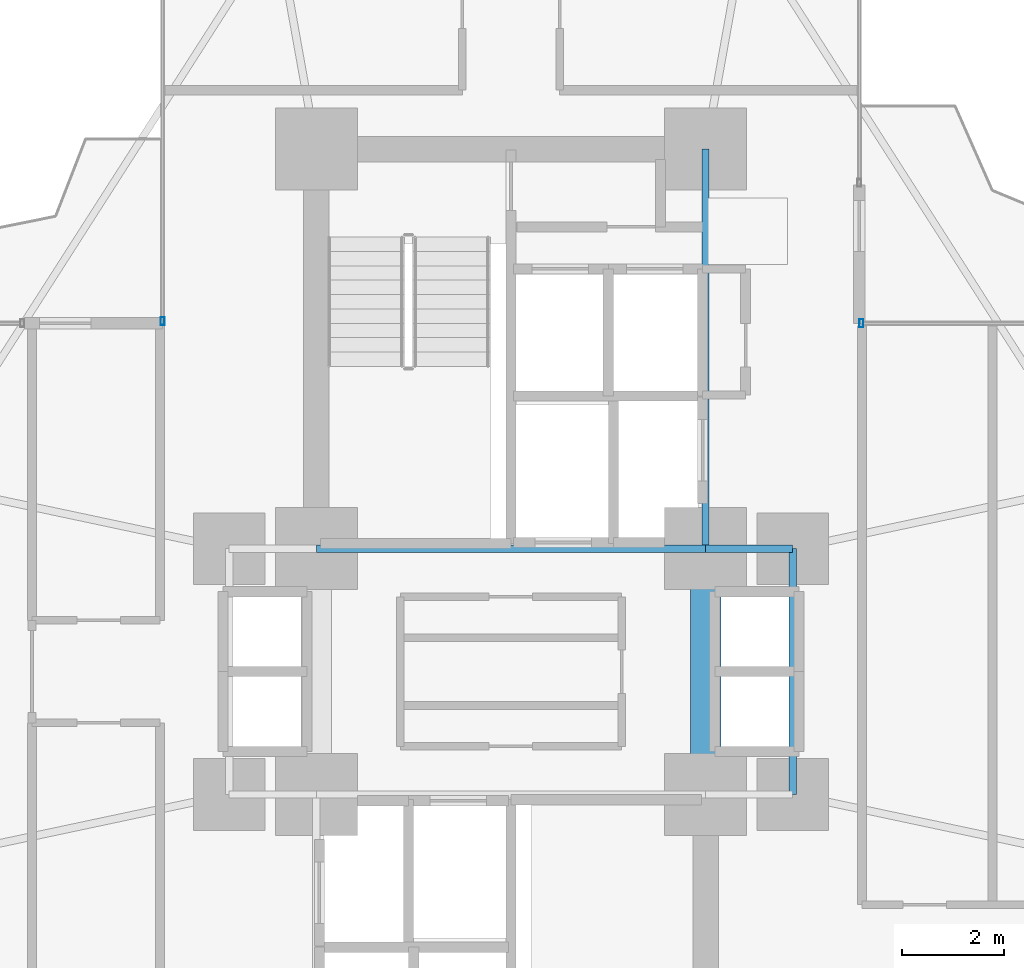
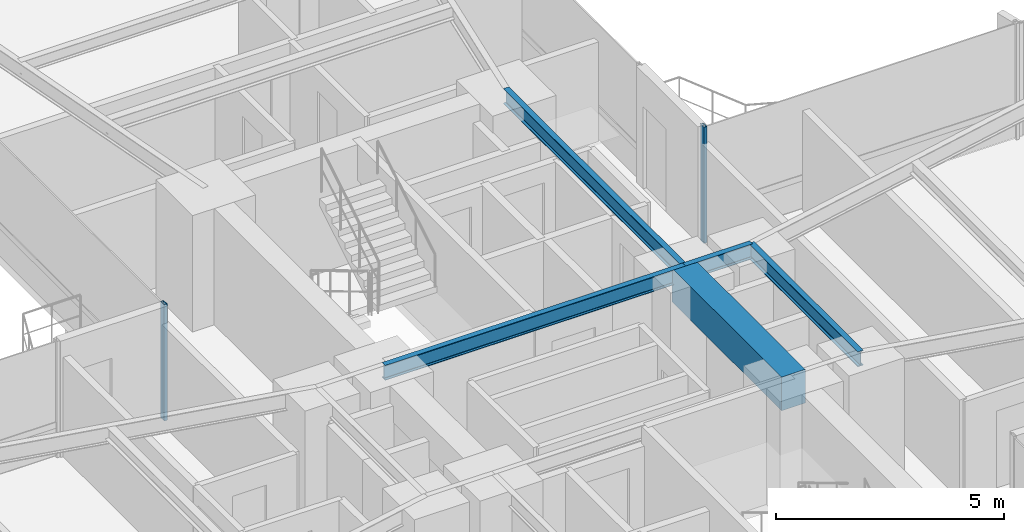
# One storey, part 12 of 25: 5 beams, 2 members, 2 elements without a shape of their own.
"""IFC4 building model written with IfcOpenShell, lengths in metres."""

from ifc_helpers import new_model, si_unit, direction, frame, origin, origin_2d, place, context, subcontext, project, spatial, rectangle, hollow_rectangle, i_section, extrude, source, transform, mapped, material, material_profile, profile_set, type_object, element, aggregate, save


model = new_model("IFC4")

# Units and contexts
model_context = context("Model", 3, precision=1e-05, world=origin(), true_north=direction((0.0, 1.0)))
body_context = subcontext(model_context, "Body", "Model", "MODEL_VIEW")
ifc_project = project(units=[si_unit("LENGTHUNIT", "METRE"), si_unit("AREAUNIT", "SQUARE_METRE"), si_unit("VOLUMEUNIT", "CUBIC_METRE"), si_unit("PLANEANGLEUNIT", "RADIAN"), si_unit("MASSUNIT", "GRAM", prefix="KILO")], contexts=[model_context])

# Site, building, storey
site_placement = place(None, origin())
site = spatial("IfcSite", under=ifc_project, at=site_placement, CompositionType="ELEMENT")
building_placement = place(site_placement, origin())
building = spatial("IfcBuilding", under=site, at=building_placement, Name="Sahyath Konkavel Grand Hotel", CompositionType="ELEMENT")
storey_placement = place(building_placement, frame((0.0, 0.0, 39.85009765625)))
storey = spatial("IfcBuildingStorey", under=building, at=storey_placement, Name="L10", CompositionType="ELEMENT", Elevation=39.85009765625)

# Beams
ifc_material_1 = material(Name="Concrete C70/85", Category="concrete")
ifc_material_profile_1 = material_profile(ifc_material_1, rectangle(XDim=0.60009765625, YDim=0.89990234375, at=origin_2d()), Name="RC 600x900")
ifc_profile_set_1 = profile_set([ifc_material_profile_1], Name="Concrete C70/85")
beam_type_1 = type_object("IfcBeamType", Name="BM-CB600x900", PredefinedType="LINTEL", material=ifc_profile_set_1)
shared_shape_1 = source(origin(), body_context, "Body", "SweptSolid", [
    extrude(rectangle(XDim=0.60009765625, YDim=0.89990234375, at=origin_2d()), origin(), (0.0, 0.0, 1.0), 4.7998046875),
])
beam_1_placement = place(storey_placement, frame((3.800048828125, -2.39990234375, 2.659912109375), z_axis=(0.0, 1.0, 0.0), x_axis=(-1.0, 0.0, 0.0)))
element("IfcBeam", 1, at=beam_1_placement, inside=storey, type_object=beam_type_1, Name="L10 Split-Core Coupling Beam East", PredefinedType="LINTEL", context=body_context, shape_type="MappedRepresentation", body=[
    mapped(shared_shape_1, transform((0.0, 0.0, 0.0), scale=1.0)),
])
ifc_material_2 = material(Name="Steel E350", Category="steel")
ifc_material_profile_2 = material_profile(ifc_material_2, i_section(OverallWidth=0.139892578125, OverallDepth=0.39990234375, WebThickness=0.0087890625, FlangeThickness=0.01611328125, FilletRadius=0.013916015625, at=origin_2d()), Name="ISMB 400")
ifc_profile_set_2 = profile_set([ifc_material_profile_2], Name="Steel E350")
beam_type_2 = type_object("IfcBeamType", Name="BM-ISMB400", PredefinedType="BEAM", material=ifc_profile_set_2)
shared_shape_2 = source(origin(), body_context, "Body", "SweptSolid", [
    extrude(i_section(OverallWidth=0.139892578125, OverallDepth=0.39990234375, WebThickness=0.0087890625, FlangeThickness=0.01611328125, FilletRadius=0.013916015625, at=origin_2d()), origin(), (0.0, 0.0, 1.0), 7.60009765625),
])
beam_2_placement = place(storey_placement, frame((-3.800048828125, 2.39990234375, 2.909912109375), z_axis=(1.0, 0.0, 0.0), x_axis=(0.0, 1.0, 0.0)))
element("IfcBeam", 2, at=beam_2_placement, inside=storey, type_object=beam_type_2, Name="str:bm:L10:NC-S", PredefinedType="BEAM", context=body_context, shape_type="MappedRepresentation", body=[
    mapped(shared_shape_2, transform((0.0, 0.0, 0.0), scale=1.0)),
])
shared_shape_3 = source(origin(), body_context, "Body", "SweptSolid", [
    extrude(i_section(OverallWidth=0.139892578125, OverallDepth=0.39990234375, WebThickness=0.0087890625, FlangeThickness=0.01611328125, FilletRadius=0.013916015625, at=origin_2d()), origin(), (0.0, 0.0, 1.0), 7.800048828125),
])
beam_3_placement = place(storey_placement, frame((3.800048828125, 2.39990234375, 2.909912109375), z_axis=(0.0, 1.0, 0.0), x_axis=(-1.0, 0.0, 0.0)))
element("IfcBeam", 3, at=beam_3_placement, inside=storey, type_object=beam_type_2, Name="str:bm:L10:NC-E", PredefinedType="BEAM", context=body_context, shape_type="MappedRepresentation", body=[
    mapped(shared_shape_3, transform((0.0, 0.0, 0.0), scale=1.0)),
])
shared_shape_4 = source(origin(), body_context, "Body", "SweptSolid", [
    extrude(i_section(OverallWidth=0.139892578125, OverallDepth=0.39990234375, WebThickness=0.0087890625, FlangeThickness=0.01611328125, FilletRadius=0.013916015625, at=origin_2d()), origin(), (0.0, 0.0, 1.0), 1.699951171875),
])
beam_4_placement = place(storey_placement, frame((3.800048828125, 2.39990234375, 2.909912109375), z_axis=(1.0, 0.0, 0.0), x_axis=(0.0, 1.0, 0.0)))
element("IfcBeam", 4, at=beam_4_placement, inside=storey, type_object=beam_type_2, Name="str:bm:L10:HB-NE", PredefinedType="BEAM", context=body_context, shape_type="MappedRepresentation", body=[
    mapped(shared_shape_4, transform((0.0, 0.0, 0.0), scale=1.0)),
])
shared_shape_5 = source(origin(), body_context, "Body", "SweptSolid", [
    extrude(i_section(OverallWidth=0.139892578125, OverallDepth=0.39990234375, WebThickness=0.0087890625, FlangeThickness=0.01611328125, FilletRadius=0.013916015625, at=origin_2d()), origin(), (0.0, 0.0, 1.0), 4.7998046875),
])
beam_5_placement = place(storey_placement, frame((5.5, -2.39990234375, 2.909912109375), z_axis=(0.0, 1.0, 0.0), x_axis=(-1.0, 0.0, 0.0)))
element("IfcBeam", 5, at=beam_5_placement, inside=storey, type_object=beam_type_2, Name="str:bm:L10:HB-E", PredefinedType="BEAM", context=body_context, shape_type="MappedRepresentation", body=[
    mapped(shared_shape_5, transform((0.0, 0.0, 0.0), scale=1.0)),
])

# Curtain wall, member
ifc_material_3 = material(Name="Anodised Bronze Aluminium & Low-E Glazing", Category="aluminium")
curtain_wall_type = type_object("IfcCurtainWallType", Name="CW-ZONE1", PredefinedType="NOTDEFINED", material=ifc_material_3)
curtain_wall_1_placement = place(storey_placement, origin())
curtain_wall_1 = element("IfcCurtainWall", 6, at=curtain_wall_1_placement, inside=storey, type_object=curtain_wall_type, Name="L10 Unitised Curtain Wall F7", PredefinedType="NOTDEFINED")
ifc_material_4 = material(Name="Anodised Bronze Aluminium", Category="aluminium")
ifc_material_profile_3 = material_profile(ifc_material_4, hollow_rectangle(XDim=0.080078125, YDim=0.159912109375, WallThickness=0.006103515625, at=origin_2d()), Name="RHS 160x80x6")
ifc_profile_set_3 = profile_set([ifc_material_profile_3], Name="Anodised Bronze Aluminium")
member_type = type_object("IfcMemberType", Name="CW-MUL-160", PredefinedType="MULLION", material=ifc_profile_set_3)
shared_shape_6 = source(origin(), body_context, "Body", "SweptSolid", [
    extrude(hollow_rectangle(XDim=0.080078125, YDim=0.159912109375, WallThickness=0.006103515625, at=origin_2d()), origin(), (0.0, 0.0, 1.0), 3.10986328125),
])
member_1_placement = place(storey_placement, frame((6.840087890625, 6.800048828125, 0.0), z_axis=(0.0, 0.0, 1.0), x_axis=(1.0, 0.0, 0.0)))
member_1 = element("IfcMember", 7, at=member_1_placement, type_object=member_type, Name="L10 Curtain Wall Mullion F7-2", PredefinedType="MULLION", context=body_context, shape_type="MappedRepresentation", body=[
    mapped(shared_shape_6, transform((0.0, 0.0, 0.0), scale=1.0)),
])
aggregate(curtain_wall_1, [member_1])

curtain_wall_2_placement = place(storey_placement, origin())
curtain_wall_2 = element("IfcCurtainWall", 8, at=curtain_wall_2_placement, inside=storey, type_object=curtain_wall_type, Name="L10 Unitised Curtain Wall F15", PredefinedType="NOTDEFINED")
member_2_placement = place(storey_placement, frame((-6.800048828125, 6.840087890625, 0.0), z_axis=(0.0, 0.0, 1.0), x_axis=(1.0, 0.0, 0.0)))
member_2 = element("IfcMember", 9, at=member_2_placement, type_object=member_type, Name="L10 Curtain Wall Mullion F15-2", PredefinedType="MULLION", context=body_context, shape_type="MappedRepresentation", body=[
    mapped(shared_shape_6, transform((0.0, 0.0, 0.0), scale=1.0)),
])
aggregate(curtain_wall_2, [member_2])

save(model, "model.ifc")
